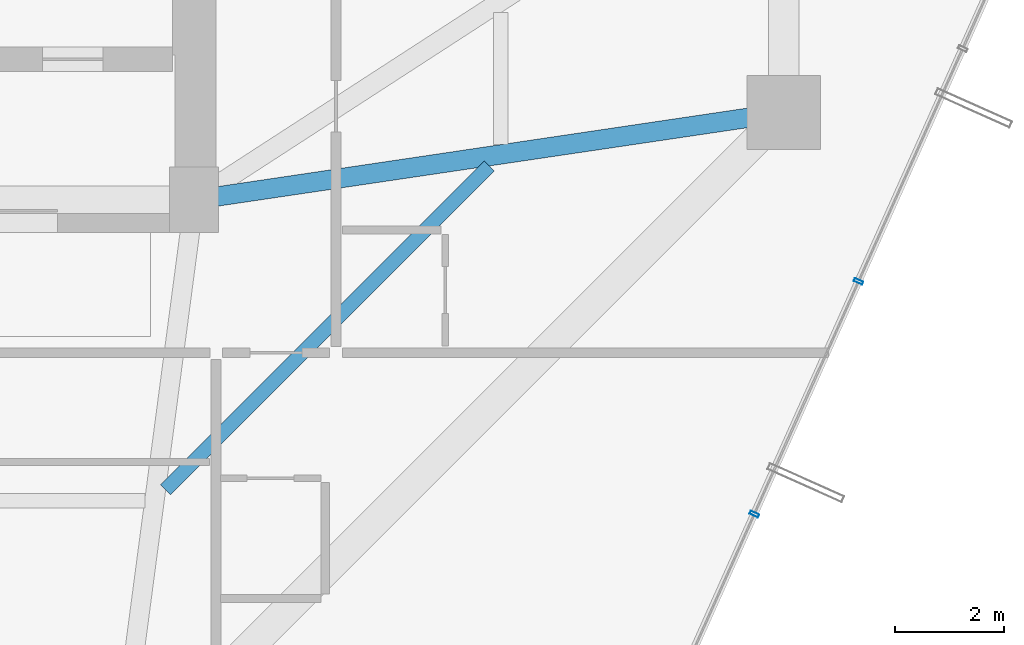
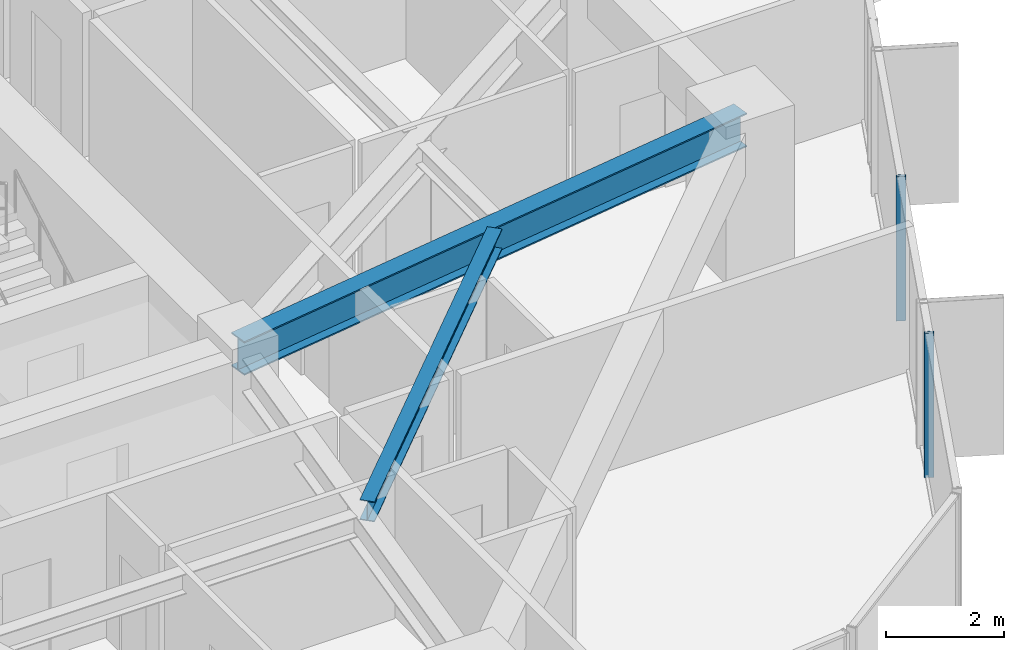
# One storey, part 16 of 37: 2 beams, 2 members, 1 element without a shape of its own.
"""IFC4 building model written with IfcOpenShell, lengths in metres."""

from ifc_helpers import new_model, si_unit, direction, frame, origin, origin_2d, place, context, subcontext, project, spatial, hollow_rectangle, i_section, extrude, source, transform, mapped, material, layer, layer_set, material_profile, profile_set, type_object, element, aggregate, save


model = new_model("IFC4")

# Units and contexts
model_context = context("Model", 3, precision=1e-05, world=origin(), true_north=direction((0.0, 1.0)))
body_context = subcontext(model_context, "Body", "Model", "MODEL_VIEW")
ifc_project = project(units=[si_unit("LENGTHUNIT", "METRE"), si_unit("AREAUNIT", "SQUARE_METRE"), si_unit("VOLUMEUNIT", "CUBIC_METRE"), si_unit("PLANEANGLEUNIT", "RADIAN"), si_unit("MASSUNIT", "GRAM", prefix="KILO")], contexts=[model_context])

# Site, building, storey
site_placement = place(None, origin())
site = spatial("IfcSite", under=ifc_project, at=site_placement, CompositionType="ELEMENT")
building_placement = place(site_placement, origin())
building = spatial("IfcBuilding", under=site, at=building_placement, Name="Veraguas Prism Commons", CompositionType="ELEMENT")
storey_placement = place(building_placement, frame((0.0, 0.0, 43.550048828125)))
storey = spatial("IfcBuildingStorey", under=building, at=storey_placement, Name="L11", CompositionType="ELEMENT", Elevation=43.550048828125)

# Beams
ifc_material_1 = material(Name="Steel ASTM A992 Grade 50", Category="steel")
ifc_material_profile_1 = material_profile(ifc_material_1, i_section(OverallWidth=0.260986328125, OverallDepth=0.419921875, WebThickness=0.01171875, FlangeThickness=0.019287109375, at=origin_2d()), Name="W410X114")
ifc_profile_set_1 = profile_set([ifc_material_profile_1], Name="Steel ASTM A992 Grade 50")
beam_type_1 = type_object("IfcBeamType", Name="Lower Floor Joist W410x114", PredefinedType="JOIST", material=ifc_profile_set_1)
beam_1_placement = place(storey_placement, frame((30.276611328125, 11.6923828125, 2.7900390625), z_axis=(0.707092226423, 0.70712133565, 0.0), x_axis=(-0.70712133565, 0.707092226423, 0.0)))
element("IfcBeam", 1, at=beam_1_placement, inside=storey, type_object=beam_type_1, Name="Composite Floor Joist L11-JS12", PredefinedType="JOIST", context=body_context, shape_type="SweptSolid", body=[
    extrude(i_section(OverallWidth=0.260986328125, OverallDepth=0.419921875, WebThickness=0.01171875, FlangeThickness=0.019287109375, at=origin_2d()), origin(), (0.0, 0.0, 1.0), 8.386962890625),
])
ifc_material_profile_2 = material_profile(ifc_material_1, i_section(OverallWidth=0.35595703125, OverallDepth=0.700927734375, WebThickness=0.016845703125, FlangeThickness=0.02734375, at=origin_2d()), Name="W690X240")
ifc_profile_set_2 = profile_set([ifc_material_profile_2], Name="Steel ASTM A992 Grade 50")
beam_type_2 = type_object("IfcBeamType", Name="Zone 1 Radial Girder W690x240", PredefinedType="BEAM", material=ifc_profile_set_2)
beam_2_placement = place(storey_placement, frame((41.60009765625, 18.60009765625, 2.6494140625), z_axis=(-0.989202261707, -0.146556765224, 0.0), x_axis=(0.146556765224, -0.989202261707, 0.0)))
element("IfcBeam", 2, at=beam_2_placement, inside=storey, type_object=beam_type_2, Name="Radial Floor Girder L11-RD01", PredefinedType="BEAM", context=body_context, shape_type="SweptSolid", body=[
    extrude(i_section(OverallWidth=0.35595703125, OverallDepth=0.700927734375, WebThickness=0.016845703125, FlangeThickness=0.02734375, at=origin_2d()), origin(), (0.0, 0.0, 1.0), 10.91796875),
])

# Curtain wall, members
ifc_material_2 = material(Name="Anodised aluminium EN AW-6063 T6", Category="aluminium")
ifc_layer = layer(ifc_material_2, 0.169921875, Name="Unitised Flush Curtain Wall Zone 1", Category="aluminium")
ifc_layer_set = layer_set([ifc_layer], Name="Anodised aluminium EN AW-6063 T6")
curtain_wall_type = type_object("IfcCurtainWallType", Name="Unitised Flush Curtain Wall Zone 1", PredefinedType="NOTDEFINED", material=ifc_layer_set)
curtain_wall_placement = place(storey_placement, origin())
curtain_wall = element("IfcCurtainWall", 3, at=curtain_wall_placement, inside=storey, type_object=curtain_wall_type, Name="Tower Facade Curtain Wall L11-F6", PredefinedType="NOTDEFINED")
ifc_material_profile_3 = material_profile(ifc_material_2, hollow_rectangle(XDim=0.06005859375, YDim=0.169921875, WallThickness=0.00390625, at=origin_2d()), Name="AL60X170X4")
ifc_profile_set_3 = profile_set([ifc_material_profile_3], Name="Anodised aluminium EN AW-6063 T6")
member_type = type_object("IfcMemberType", Name="Curtain Wall Mullion Lower AL 60x170x4", PredefinedType="MULLION", material=ifc_profile_set_3)
shared_shape = source(origin(), body_context, "Body", "SweptSolid", [
    extrude(hollow_rectangle(XDim=0.06005859375, YDim=0.169921875, WallThickness=0.00390625, at=origin_2d()), origin(), (0.0, 0.0, 1.0), 3.0),
])
member_1_placement = place(storey_placement, frame((41.061279296875, 11.2431640625, 0.0), z_axis=(0.0, 0.0, 1.0), x_axis=(0.408649074736, 0.912691587404, 0.0)))
member_1 = element("IfcMember", 4, at=member_1_placement, type_object=member_type, Name="CW-Z1 Mullion 2", PredefinedType="MULLION", context=body_context, shape_type="MappedRepresentation", body=[
    mapped(shared_shape, transform((0.0, 0.0, 0.0), scale=1.0)),
])
member_2_placement = place(storey_placement, frame((42.969970703125, 15.50634765625, 0.0), z_axis=(0.0, 0.0, 1.0), x_axis=(0.408649074736, 0.912691587404, 0.0)))
member_2 = element("IfcMember", 5, at=member_2_placement, type_object=member_type, Name="CW-Z1 Mullion 3", PredefinedType="MULLION", context=body_context, shape_type="MappedRepresentation", body=[
    mapped(shared_shape, transform((0.0, 0.0, 0.0), scale=1.0)),
])
aggregate(curtain_wall, [member_1, member_2])

save(model, "model.ifc")
